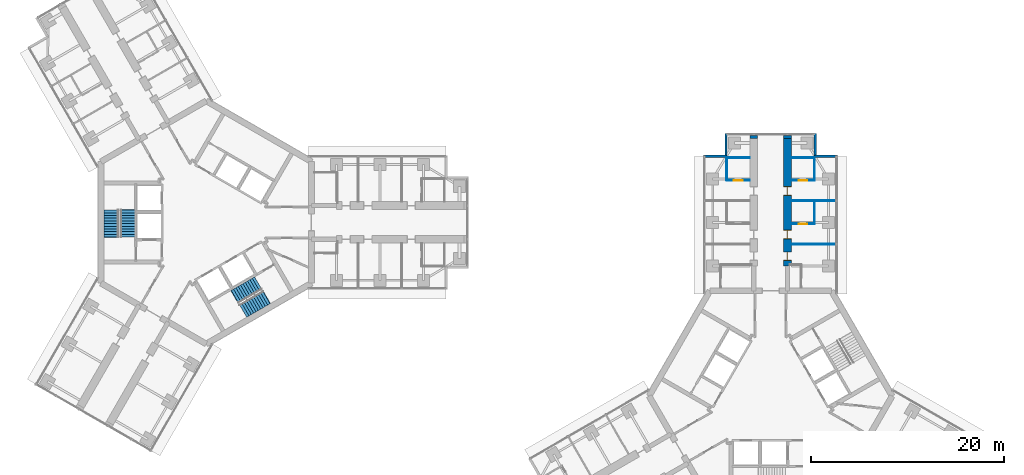
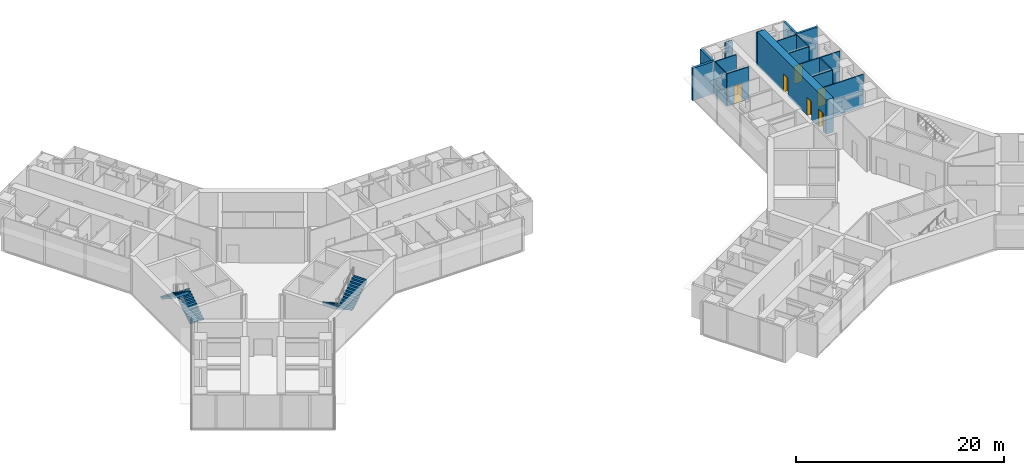
# One storey, part 21 of 23: 17 walls, 6 doors, 4 stair flights, 6 openings, 2 elements without a shape of their own.
"""IFC4 building model written with IfcOpenShell, lengths in metres."""

from ifc_helpers import new_model, si_unit, direction, frame, frame_2d, origin, place, context, subcontext, project, spatial, polyline, rectangle, outline, extrude, material, layer, layer_set, type_object, element, fill, aggregate, save


model = new_model("IFC4")

# Units and contexts
model_context = context("Model", 3, precision=1e-05, world=origin(), true_north=direction((0.0, 1.0)))
body_context = subcontext(model_context, "Body", "Model", "MODEL_VIEW")
ifc_project = project(units=[si_unit("LENGTHUNIT", "METRE"), si_unit("AREAUNIT", "SQUARE_METRE"), si_unit("VOLUMEUNIT", "CUBIC_METRE"), si_unit("PLANEANGLEUNIT", "RADIAN"), si_unit("MASSUNIT", "GRAM", prefix="KILO")], contexts=[model_context])

# Site, building, storey
site_placement = place(None, origin())
site = spatial("IfcSite", under=ifc_project, at=site_placement, CompositionType="ELEMENT")
building_placement = place(site_placement, origin())
building = spatial("IfcBuilding", under=site, at=building_placement, Name="Upepo Twin Towers", CompositionType="ELEMENT")
storey_placement = place(building_placement, frame((0.0, 0.0, 149.5)))
storey = spatial("IfcBuildingStorey", under=building, at=storey_placement, Name="L36", CompositionType="ELEMENT", Elevation=149.5)

# Walls
ifc_material_1 = material(Name="Dense concrete blockwork", Category="masonry")
ifc_layer_1 = layer(ifc_material_1, 0.800048828125)
ifc_layer_set_1 = layer_set([ifc_layer_1], Name="Buttress closer 800, blockwork with fire-stopping to the curtain wall")
wall_type_1 = type_object("IfcWallType", Name="Buttress closer 800, blockwork with fire-stopping to the curtain wall", PredefinedType="PARTITIONING", material=ifc_layer_set_1)
for number, where, z_axis, x_axis, name in (
    (1, (56.75, 8.699951171875, 0.0), (0.0, 0.0, 1.0), (0.0, 1.0, 0.0), "T2 L36 wing A buttress closer L"),
    (2, (60.25, 8.699951171875, 0.0), (0.0, 0.0, 1.0), (0.0, 1.0, 0.0), "T2 L36 wing A buttress closer R"),
):
    element("IfcWall", number, at=place(storey_placement, frame(where, z_axis=z_axis, x_axis=x_axis)), inside=storey, type_object=wall_type_1, Name=name, PredefinedType="PARTITIONING", context=body_context, shape_type="SweptSolid", body=[
        extrude(rectangle(XDim=0.300048828125, YDim=0.800048828125, at=frame_2d((0.14990234375, 0.0))), origin(), (0.0, 0.0, 1.0), 3.800048828125),
    ])

# Wall, openings, doors
ifc_material_2 = material(Name="Concrete C60/75", Category="concrete")
ifc_layer_2 = layer(ifc_material_2, 0.800048828125)
ifc_layer_set_2 = layer_set([ifc_layer_2], Name="Concrete C60/75")
wall_type_2 = type_object("IfcWallType", Name="Buttress wall 800 RC", PredefinedType="SHEAR", material=ifc_layer_set_2)
wall_1_placement = place(storey_placement, frame((60.25, -4.5, 0.0), z_axis=(0.0, 0.0, 1.0), x_axis=(0.0, 1.0, 0.0)))
wall_1 = element("IfcWall", 3, at=wall_1_placement, inside=storey, type_object=wall_type_2, Name="T2 wing A buttress wall R part 2", PredefinedType="SHEAR", context=body_context, shape_type="SweptSolid", body=[
    extrude(rectangle(XDim=13.199951171875, YDim=0.800048828125, at=frame_2d((6.60009765625, 0.0))), origin(), (0.0, 0.0, 1.0), 4.0),
])
opening_1_placement = place(wall_1_placement, frame((0.550048828125, 0.0, 0.0)))
opening_1 = element("IfcOpeningElement", 4, at=opening_1_placement, cuts=wall_1, Name="Opening D11", PredefinedType="OPENING", context=body_context, shape_type="SweptSolid", body=[
    extrude(rectangle(XDim=0.89990234375, YDim=2.10009765625, at=frame_2d((0.449951171875, 1.050048828125))), frame((0.0, 0.409912109375, 0.0), z_axis=(0.0, -1.0, 0.0), x_axis=(1.0, 0.0, 0.0)), (0.0, 0.0, 1.0), 0.820068359375),
])
opening_2_placement = place(wall_1_placement, frame((2.800048828125, 0.0, 0.0)))
opening_2 = element("IfcOpeningElement", 5, at=opening_2_placement, cuts=wall_1, Name="Opening D14", PredefinedType="OPENING", context=body_context, shape_type="SweptSolid", body=[
    extrude(rectangle(XDim=0.89990234375, YDim=2.10009765625, at=frame_2d((0.449951171875, 1.050048828125))), frame((0.0, 0.409912109375, 0.0), z_axis=(0.0, -1.0, 0.0), x_axis=(1.0, 0.0, 0.0)), (0.0, 0.0, 1.0), 0.820068359375),
])
opening_3_placement = place(wall_1_placement, frame((7.300048828125, 0.0, 0.0)))
opening_3 = element("IfcOpeningElement", 6, at=opening_3_placement, cuts=wall_1, Name="Opening D14", PredefinedType="OPENING", context=body_context, shape_type="SweptSolid", body=[
    extrude(rectangle(XDim=0.89990234375, YDim=2.10009765625, at=frame_2d((0.449951171875, 1.050048828125))), frame((0.0, 0.409912109375, 0.0), z_axis=(0.0, -1.0, 0.0), x_axis=(1.0, 0.0, 0.0)), (0.0, 0.0, 1.0), 0.820068359375),
])
ifc_material_3 = material(Name="Timber doorset", Category="wood")
door_type_1 = type_object("IfcDoorType", Name="Office door 900 FD30", OperationType="SINGLE_SWING_LEFT", PredefinedType="DOOR", material=ifc_material_3)
door_1_placement = place(opening_2_placement, origin())
door_1 = element("IfcDoor", 7, at=door_1_placement, inside=storey, type_object=door_type_1, Name="T2 L36 staff office door", OperationType="SINGLE_SWING_LEFT", OverallHeight=2.10009765625, OverallWidth=0.89990234375, PredefinedType="DOOR", context=body_context, shape_type="SweptSolid", body=[
    extrude(rectangle(XDim=0.81990234375, YDim=2.06009765625, at=frame_2d((0.449951171875, 1.030029296875))), frame((0.0, 0.02490234375, 0.0), z_axis=(0.0, -1.0, 0.0), x_axis=(1.0, 0.0, 0.0)), (0.0, 0.0, 1.0), 0.050048828125),
    extrude(rectangle(XDim=0.04, YDim=2.10009765625, at=frame_2d((0.02001953125, 1.050048828125))), frame((0.0, 0.39990234375, 0.0), z_axis=(0.0, -1.0, 0.0), x_axis=(1.0, 0.0, 0.0)), (0.0, 0.0, 1.0), 0.799560546875),
    extrude(rectangle(XDim=0.04, YDim=2.10009765625, at=frame_2d((0.8798828125, 1.050048828125))), frame((0.0, 0.39990234375, 0.0), z_axis=(0.0, -1.0, 0.0), x_axis=(1.0, 0.0, 0.0)), (0.0, 0.0, 1.0), 0.799560546875),
    extrude(rectangle(XDim=0.81990234375, YDim=0.04, at=frame_2d((0.449951171875, 2.080078125))), frame((0.0, 0.39990234375, 0.0), z_axis=(0.0, -1.0, 0.0), x_axis=(1.0, 0.0, 0.0)), (0.0, 0.0, 1.0), 0.799560546875),
])
fill(opening_2, door_1)
door_2_placement = place(opening_3_placement, origin())
door_2 = element("IfcDoor", 8, at=door_2_placement, inside=storey, type_object=door_type_1, Name="T2 L36 postgraduate office door", OperationType="SINGLE_SWING_RIGHT", OverallHeight=2.10009765625, OverallWidth=0.89990234375, PredefinedType="DOOR", context=body_context, shape_type="SweptSolid", body=[
    extrude(rectangle(XDim=0.81990234375, YDim=2.06009765625, at=frame_2d((0.449951171875, 1.030029296875))), frame((0.0, 0.02490234375, 0.0), z_axis=(0.0, -1.0, 0.0), x_axis=(1.0, 0.0, 0.0)), (0.0, 0.0, 1.0), 0.050048828125),
    extrude(rectangle(XDim=0.04, YDim=2.10009765625, at=frame_2d((0.02001953125, 1.050048828125))), frame((0.0, 0.39990234375, 0.0), z_axis=(0.0, -1.0, 0.0), x_axis=(1.0, 0.0, 0.0)), (0.0, 0.0, 1.0), 0.799560546875),
    extrude(rectangle(XDim=0.04, YDim=2.10009765625, at=frame_2d((0.8798828125, 1.050048828125))), frame((0.0, 0.39990234375, 0.0), z_axis=(0.0, -1.0, 0.0), x_axis=(1.0, 0.0, 0.0)), (0.0, 0.0, 1.0), 0.799560546875),
    extrude(rectangle(XDim=0.81990234375, YDim=0.04, at=frame_2d((0.449951171875, 2.080078125))), frame((0.0, 0.39990234375, 0.0), z_axis=(0.0, -1.0, 0.0), x_axis=(1.0, 0.0, 0.0)), (0.0, 0.0, 1.0), 0.799560546875),
])
fill(opening_3, door_2)
ifc_material_4 = material(Name="Timber doorset", Category="wood")
door_type_2 = type_object("IfcDoorType", Name="Toilet door 900", OperationType="SINGLE_SWING_LEFT", PredefinedType="DOOR", material=ifc_material_4)
door_3_placement = place(opening_1_placement, origin())
door_3 = element("IfcDoor", 9, at=door_3_placement, inside=storey, type_object=door_type_2, Name="T2 L36 toilets door", OperationType="SINGLE_SWING_LEFT", OverallHeight=2.10009765625, OverallWidth=0.89990234375, PredefinedType="DOOR", context=body_context, shape_type="SweptSolid", body=[
    extrude(rectangle(XDim=0.81990234375, YDim=2.06009765625, at=frame_2d((0.449951171875, 1.030029296875))), frame((0.0, 0.02490234375, 0.0), z_axis=(0.0, -1.0, 0.0), x_axis=(1.0, 0.0, 0.0)), (0.0, 0.0, 1.0), 0.050048828125),
    extrude(rectangle(XDim=0.04, YDim=2.10009765625, at=frame_2d((0.02001953125, 1.050048828125))), frame((0.0, 0.39990234375, 0.0), z_axis=(0.0, -1.0, 0.0), x_axis=(1.0, 0.0, 0.0)), (0.0, 0.0, 1.0), 0.799560546875),
    extrude(rectangle(XDim=0.04, YDim=2.10009765625, at=frame_2d((0.8798828125, 1.050048828125))), frame((0.0, 0.39990234375, 0.0), z_axis=(0.0, -1.0, 0.0), x_axis=(1.0, 0.0, 0.0)), (0.0, 0.0, 1.0), 0.799560546875),
    extrude(rectangle(XDim=0.81990234375, YDim=0.04, at=frame_2d((0.449951171875, 2.080078125))), frame((0.0, 0.39990234375, 0.0), z_axis=(0.0, -1.0, 0.0), x_axis=(1.0, 0.0, 0.0)), (0.0, 0.0, 1.0), 0.799560546875),
])
fill(opening_1, door_3)

# Walls
ifc_material_5 = material(Name="Blockwork with anodised aluminium cladding", Category="masonry")
ifc_layer_3 = layer(ifc_material_5, 0.25)
ifc_layer_set_3 = layer_set([ifc_layer_3], Name="Notch cladding wall 250, pale metal")
wall_type_3 = type_object("IfcWallType", Name="Notch cladding wall 250, pale metal", PredefinedType="STANDARD", material=ifc_layer_set_3)
for number, where, z_axis, x_axis, name in (
    (10, (51.550048828125, 6.875, 0.0), (0.0, 0.0, 1.0), (1.0, 0.0, 0.0), "T2 L36 wing A notch wall L1"),
    (11, (53.875, 6.875, 0.0), (0.0, 0.0, 1.0), (0.0, 1.0, 0.0), "T2 L36 wing A notch wall L2"),
    (12, (65.449951171875, 6.875, 0.0), (0.0, 0.0, 1.0), (-1.0, 0.0, 0.0), "T2 L36 wing A notch wall R1"),
    (13, (63.125, 6.875, 0.0), (0.0, 0.0, 1.0), (0.0, 1.0, 0.0), "T2 L36 wing A notch wall R2"),
):
    element("IfcWall", number, at=place(storey_placement, frame(where, z_axis=z_axis, x_axis=x_axis)), inside=storey, type_object=wall_type_3, Name=name, PredefinedType="STANDARD", context=body_context, shape_type="SweptSolid", body=[
        extrude(rectangle(XDim=2.324951171875, YDim=0.25, at=frame_2d((1.16259765625, 0.0))), origin(), (0.0, 0.0, 1.0), 3.800048828125),
    ])
ifc_material_6 = material(Name="Gypsum board on steel studs", Category="steel")
ifc_layer_4 = layer(ifc_material_6, 0.10009765625)
ifc_layer_set_4 = layer_set([ifc_layer_4], Name="Office partition 100 stud")
wall_type_4 = type_object("IfcWallType", Name="Office partition 100 stud", PredefinedType="PARTITIONING", material=ifc_layer_set_4)
wall_2_placement = place(storey_placement, frame((53.949951171875, 4.35009765625, 0.0), z_axis=(0.0, 0.0, 1.0), x_axis=(0.0, 1.0, 0.0)))
element("IfcWall", 14, at=wall_2_placement, inside=storey, type_object=wall_type_4, Name="T2 inner room partition AL at 22.35", PredefinedType="PARTITIONING", context=body_context, shape_type="SweptSolid", body=[
    extrude(rectangle(XDim=2.39990234375, YDim=0.10009765625, at=frame_2d((1.199951171875, 0.0))), origin(), (0.0, 0.0, 1.0), 3.800048828125),
])

# Wall, opening, door
wall_3_placement = place(storey_placement, frame((56.35009765625, 4.35009765625, 0.0), z_axis=(0.0, 0.0, 1.0), x_axis=(-1.0, 0.0, 0.0)))
wall_3 = element("IfcWall", 15, at=wall_3_placement, inside=storey, type_object=wall_type_4, Name="T2 inner room partition AL end at 22.35", PredefinedType="PARTITIONING", context=body_context, shape_type="SweptSolid", body=[
    extrude(rectangle(XDim=2.400146484375, YDim=0.10009765625, at=frame_2d((1.2001953125, 0.0))), origin(), (0.0, 0.0, 1.0), 3.800048828125),
])
opening_4_placement = place(wall_3_placement, frame((0.75, 0.0, 0.0)))
opening_4 = element("IfcOpeningElement", 16, at=opening_4_placement, cuts=wall_3, Name="Opening D14", PredefinedType="OPENING", context=body_context, shape_type="SweptSolid", body=[
    extrude(rectangle(XDim=0.89990234375, YDim=2.10009765625, at=frame_2d((0.449951171875, 1.050048828125))), frame((0.0, 0.06005859375, 0.0), z_axis=(0.0, -1.0, 0.0), x_axis=(1.0, 0.0, 0.0)), (0.0, 0.0, 1.0), 0.1201171875),
])
door_4_placement = place(opening_4_placement, origin())
door_4 = element("IfcDoor", 17, at=door_4_placement, inside=storey, type_object=door_type_1, Name="T2 L36 inner room door", OperationType="SINGLE_SWING_LEFT", OverallHeight=2.10009765625, OverallWidth=0.89990234375, PredefinedType="DOOR", context=body_context, shape_type="SweptSolid", body=[
    extrude(rectangle(XDim=0.89990234375, YDim=2.10009765625, at=frame_2d((0.449951171875, 1.050048828125))), frame((0.0, 0.02490234375, 0.0), z_axis=(0.0, -1.0, 0.0), x_axis=(1.0, 0.0, 0.0)), (0.0, 0.0, 1.0), 0.050048828125),
])
fill(opening_4, door_4)

# Walls
wall_4_placement = place(storey_placement, frame((56.35009765625, 6.699951171875, 0.0), z_axis=(0.0, 0.0, 1.0), x_axis=(-1.0, 0.0, 0.0)))
element("IfcWall", 18, at=wall_4_placement, inside=storey, type_object=wall_type_4, Name="T2 inner room partition AL end at 24.75", PredefinedType="PARTITIONING", context=body_context, shape_type="SweptSolid", body=[
    extrude(rectangle(XDim=2.400146484375, YDim=0.10009765625, at=frame_2d((1.2001953125, 0.0))), origin(), (0.0, 0.0, 1.0), 3.800048828125),
])
for number, where, z_axis, x_axis, name in (
    (19, (60.64990234375, -2.25, 0.0), (0.0, 0.0, 1.0), (1.0, 0.0, 0.0), "T2 partition AR at 15.75"),
    (20, (60.64990234375, 2.25, 0.0), (0.0, 0.0, 1.0), (1.0, 0.0, 0.0), "T2 partition AR at 20.25"),
):
    element("IfcWall", number, at=place(storey_placement, frame(where, z_axis=z_axis, x_axis=x_axis)), inside=storey, type_object=wall_type_4, Name=name, PredefinedType="PARTITIONING", context=body_context, shape_type="SweptSolid", body=[
        extrude(rectangle(XDim=4.60009765625, YDim=0.10009765625, at=frame_2d((2.300048828125, 0.0))), origin(), (0.0, 0.0, 1.0), 3.800048828125),
    ])
wall_5_placement = place(storey_placement, frame((63.050048828125, -0.14990234375, 0.0), z_axis=(0.0, 0.0, 1.0), x_axis=(0.0, 1.0, 0.0)))
element("IfcWall", 21, at=wall_5_placement, inside=storey, type_object=wall_type_4, Name="T2 inner room partition AR at 17.85", PredefinedType="PARTITIONING", context=body_context, shape_type="SweptSolid", body=[
    extrude(rectangle(XDim=2.39990234375, YDim=0.10009765625, at=frame_2d((1.199951171875, 0.0))), origin(), (0.0, 0.0, 1.0), 3.800048828125),
])

# Wall, opening, door
wall_6_placement = place(storey_placement, frame((60.64990234375, -0.14990234375, 0.0), z_axis=(0.0, 0.0, 1.0), x_axis=(1.0, 0.0, 0.0)))
wall_6 = element("IfcWall", 22, at=wall_6_placement, inside=storey, type_object=wall_type_4, Name="T2 inner room partition AR end at 17.85", PredefinedType="PARTITIONING", context=body_context, shape_type="SweptSolid", body=[
    extrude(rectangle(XDim=2.400146484375, YDim=0.10009765625, at=frame_2d((1.2001953125, 0.0))), origin(), (0.0, 0.0, 1.0), 3.800048828125),
])
opening_5_placement = place(wall_6_placement, frame((0.75, 0.0, 0.0)))
opening_5 = element("IfcOpeningElement", 23, at=opening_5_placement, cuts=wall_6, Name="Opening D14", PredefinedType="OPENING", context=body_context, shape_type="SweptSolid", body=[
    extrude(rectangle(XDim=0.89990234375, YDim=2.10009765625, at=frame_2d((0.449951171875, 1.050048828125))), frame((0.0, 0.06005859375, 0.0), z_axis=(0.0, -1.0, 0.0), x_axis=(1.0, 0.0, 0.0)), (0.0, 0.0, 1.0), 0.1201171875),
])
door_5_placement = place(opening_5_placement, origin())
door_5 = element("IfcDoor", 24, at=door_5_placement, inside=storey, type_object=door_type_1, Name="T2 L36 inner room door", OperationType="SINGLE_SWING_LEFT", OverallHeight=2.10009765625, OverallWidth=0.89990234375, PredefinedType="DOOR", context=body_context, shape_type="SweptSolid", body=[
    extrude(rectangle(XDim=0.89990234375, YDim=2.10009765625, at=frame_2d((0.449951171875, 1.050048828125))), frame((0.0, 0.02490234375, 0.0), z_axis=(0.0, -1.0, 0.0), x_axis=(1.0, 0.0, 0.0)), (0.0, 0.0, 1.0), 0.050048828125),
])
fill(opening_5, door_5)

# Wall
wall_7_placement = place(storey_placement, frame((63.050048828125, 4.35009765625, 0.0), z_axis=(0.0, 0.0, 1.0), x_axis=(0.0, 1.0, 0.0)))
element("IfcWall", 25, at=wall_7_placement, inside=storey, type_object=wall_type_4, Name="T2 inner room partition AR at 22.35", PredefinedType="PARTITIONING", context=body_context, shape_type="SweptSolid", body=[
    extrude(rectangle(XDim=2.39990234375, YDim=0.10009765625, at=frame_2d((1.199951171875, 0.0))), origin(), (0.0, 0.0, 1.0), 3.800048828125),
])

# Wall, opening, door
wall_8_placement = place(storey_placement, frame((60.64990234375, 4.35009765625, 0.0), z_axis=(0.0, 0.0, 1.0), x_axis=(1.0, 0.0, 0.0)))
wall_8 = element("IfcWall", 26, at=wall_8_placement, inside=storey, type_object=wall_type_4, Name="T2 inner room partition AR end at 22.35", PredefinedType="PARTITIONING", context=body_context, shape_type="SweptSolid", body=[
    extrude(rectangle(XDim=2.400146484375, YDim=0.10009765625, at=frame_2d((1.2001953125, 0.0))), origin(), (0.0, 0.0, 1.0), 3.800048828125),
])
opening_6_placement = place(wall_8_placement, frame((0.75, 0.0, 0.0)))
opening_6 = element("IfcOpeningElement", 27, at=opening_6_placement, cuts=wall_8, Name="Opening D14", PredefinedType="OPENING", context=body_context, shape_type="SweptSolid", body=[
    extrude(rectangle(XDim=0.89990234375, YDim=2.10009765625, at=frame_2d((0.449951171875, 1.050048828125))), frame((0.0, 0.06005859375, 0.0), z_axis=(0.0, -1.0, 0.0), x_axis=(1.0, 0.0, 0.0)), (0.0, 0.0, 1.0), 0.1201171875),
])
door_6_placement = place(opening_6_placement, origin())
door_6 = element("IfcDoor", 28, at=door_6_placement, inside=storey, type_object=door_type_1, Name="T2 L36 inner room door", OperationType="SINGLE_SWING_LEFT", OverallHeight=2.10009765625, OverallWidth=0.89990234375, PredefinedType="DOOR", context=body_context, shape_type="SweptSolid", body=[
    extrude(rectangle(XDim=0.89990234375, YDim=2.10009765625, at=frame_2d((0.449951171875, 1.050048828125))), frame((0.0, 0.02490234375, 0.0), z_axis=(0.0, -1.0, 0.0), x_axis=(1.0, 0.0, 0.0)), (0.0, 0.0, 1.0), 0.050048828125),
])
fill(opening_6, door_6)

# Wall
wall_9_placement = place(storey_placement, frame((60.64990234375, 6.699951171875, 0.0), z_axis=(0.0, 0.0, 1.0), x_axis=(1.0, 0.0, 0.0)))
element("IfcWall", 29, at=wall_9_placement, inside=storey, type_object=wall_type_4, Name="T2 inner room partition AR end at 24.75", PredefinedType="PARTITIONING", context=body_context, shape_type="SweptSolid", body=[
    extrude(rectangle(XDim=2.400146484375, YDim=0.10009765625, at=frame_2d((1.2001953125, 0.0))), origin(), (0.0, 0.0, 1.0), 3.800048828125),
])

# Stair, stair flights
ifc_material_7 = material(Name="Concrete C40/50", Category="concrete")
stair_type = type_object("IfcStairType", Name="Core stair, two flights", PredefinedType="HALF_TURN_STAIR", material=ifc_material_7)
stair_1_placement = place(storey_placement, origin())
stair_1 = element("IfcStair", 30, at=stair_1_placement, inside=storey, type_object=stair_type, Name="T1 stair S1 L36", PredefinedType="HALF_TURN_STAIR")
ifc_material_8 = material(Name="Concrete C40/50", Category="concrete")
stair_flight_type = type_object("IfcStairFlightType", Name="Stair flight 1500 RC", PredefinedType="STRAIGHT", material=ifc_material_8)
stair_flight_1_placement = place(storey_placement, frame((-8.14990234375, -1.52001953125, 0.0), z_axis=(0.0, 0.0, 1.0), x_axis=(0.0, 1.0, 0.0)))
stair_flight_1 = element("IfcStairFlight", 31, at=stair_flight_1_placement, type_object=stair_flight_type, Name="Stair S1 flight 1", NumberOfRisers=11, NumberOfTreads=10, PredefinedType="STRAIGHT", RiserHeight=0.181818182, TreadLength=0.28, context=body_context, shape_type="SweptSolid", body=[
    extrude(outline(polyline([(0.0, 0.0), (0.0, 0.181884765625), (0.280029296875, 0.181884765625), (0.280029296875, 0.363525390625), (0.56005859375, 0.363525390625), (0.56005859375, 0.54541015625), (0.840087890625, 0.54541015625), (0.840087890625, 0.727294921875), (1.1201171875, 0.727294921875), (1.1201171875, 0.9091796875), (1.39990234375, 0.9091796875), (1.39990234375, 1.0908203125), (1.679931640625, 1.0908203125), (1.679931640625, 1.272705078125), (1.9599609375, 1.272705078125), (1.9599609375, 1.45458984375), (2.239990234375, 1.45458984375), (2.239990234375, 1.636474609375), (2.52001953125, 1.636474609375), (2.52001953125, 1.818115234375), (2.800048828125, 1.818115234375), (2.800048828125, 2.0), (2.85009765625, 2.0), (2.85009765625, 1.639404296875), (0.3251953125, 0.0), (0.0, 0.0)])), frame((0.0, 0.75, 0.0), z_axis=(0.0, -1.0, 0.0), x_axis=(1.0, 0.0, 0.0)), (0.0, 0.0, 1.0), 1.5),
])
stair_flight_2_placement = place(storey_placement, frame((-9.8583984375, 1.280029296875, 2.0), z_axis=(0.0, 0.0, 1.0), x_axis=(0.0, -1.0, 0.0)))
stair_flight_2 = element("IfcStairFlight", 32, at=stair_flight_2_placement, type_object=stair_flight_type, Name="Stair S1 flight 2", NumberOfRisers=11, NumberOfTreads=10, PredefinedType="STRAIGHT", RiserHeight=0.181818182, TreadLength=0.28, context=body_context, shape_type="SweptSolid", body=[
    extrude(outline(polyline([(0.0, 0.0), (0.0, 0.181884765625), (0.280029296875, 0.181884765625), (0.280029296875, 0.363525390625), (0.56005859375, 0.363525390625), (0.56005859375, 0.54541015625), (0.840087890625, 0.54541015625), (0.840087890625, 0.727294921875), (1.1201171875, 0.727294921875), (1.1201171875, 0.9091796875), (1.39990234375, 0.9091796875), (1.39990234375, 1.0908203125), (1.679931640625, 1.0908203125), (1.679931640625, 1.272705078125), (1.9599609375, 1.272705078125), (1.9599609375, 1.45458984375), (2.239990234375, 1.45458984375), (2.239990234375, 1.636474609375), (2.52001953125, 1.636474609375), (2.52001953125, 1.818115234375), (2.800048828125, 1.818115234375), (2.800048828125, 2.0), (2.85009765625, 2.0), (2.85009765625, 1.639404296875), (0.3251953125, 0.0), (0.0, 0.0)])), frame((0.0, 0.75, 0.0), z_axis=(0.0, -1.0, 0.0), x_axis=(1.0, 0.0, 0.0)), (0.0, 0.0, 1.0), 1.5),
])
aggregate(stair_1, [stair_flight_1, stair_flight_2])

stair_2_placement = place(storey_placement, origin())
stair_2 = element("IfcStair", 33, at=stair_2_placement, inside=storey, type_object=stair_type, Name="T1 stair S2 L36", PredefinedType="HALF_TURN_STAIR")
stair_flight_3_placement = place(storey_placement, frame((5.391357421875, -6.298095703125, 0.0), z_axis=(0.0, 0.0, 1.0), x_axis=(-0.866025403784, -0.5, 0.0)))
stair_flight_3 = element("IfcStairFlight", 34, at=stair_flight_3_placement, type_object=stair_flight_type, Name="Stair S2 flight 1", NumberOfRisers=11, NumberOfTreads=10, PredefinedType="STRAIGHT", RiserHeight=0.181818182, TreadLength=0.28, context=body_context, shape_type="SweptSolid", body=[
    extrude(outline(polyline([(0.0, 0.0), (0.0, 0.181884765625), (0.280029296875, 0.181884765625), (0.280029296875, 0.363525390625), (0.56005859375, 0.363525390625), (0.56005859375, 0.54541015625), (0.840087890625, 0.54541015625), (0.840087890625, 0.727294921875), (1.1201171875, 0.727294921875), (1.1201171875, 0.9091796875), (1.39990234375, 0.9091796875), (1.39990234375, 1.0908203125), (1.679931640625, 1.0908203125), (1.679931640625, 1.272705078125), (1.9599609375, 1.272705078125), (1.9599609375, 1.45458984375), (2.239990234375, 1.45458984375), (2.239990234375, 1.636474609375), (2.52001953125, 1.636474609375), (2.52001953125, 1.818115234375), (2.800048828125, 1.818115234375), (2.800048828125, 2.0), (2.85009765625, 2.0), (2.85009765625, 1.639404296875), (0.3251953125, 0.0), (0.0, 0.0)])), frame((0.0, 0.75, 0.0), z_axis=(0.0, -1.0, 0.0), x_axis=(1.0, 0.0, 0.0)), (0.0, 0.0, 1.0), 1.5),
])
stair_flight_4_placement = place(storey_placement, frame((3.820556640625, -9.177490234375, 2.0), z_axis=(0.0, 0.0, 1.0), x_axis=(0.866025403784, 0.5, 0.0)))
stair_flight_4 = element("IfcStairFlight", 35, at=stair_flight_4_placement, type_object=stair_flight_type, Name="Stair S2 flight 2", NumberOfRisers=11, NumberOfTreads=10, PredefinedType="STRAIGHT", RiserHeight=0.181818182, TreadLength=0.28, context=body_context, shape_type="SweptSolid", body=[
    extrude(outline(polyline([(0.0, 0.0), (0.0, 0.181884765625), (0.280029296875, 0.181884765625), (0.280029296875, 0.363525390625), (0.56005859375, 0.363525390625), (0.56005859375, 0.54541015625), (0.840087890625, 0.54541015625), (0.840087890625, 0.727294921875), (1.1201171875, 0.727294921875), (1.1201171875, 0.9091796875), (1.39990234375, 0.9091796875), (1.39990234375, 1.0908203125), (1.679931640625, 1.0908203125), (1.679931640625, 1.272705078125), (1.9599609375, 1.272705078125), (1.9599609375, 1.45458984375), (2.239990234375, 1.45458984375), (2.239990234375, 1.636474609375), (2.52001953125, 1.636474609375), (2.52001953125, 1.818115234375), (2.800048828125, 1.818115234375), (2.800048828125, 2.0), (2.85009765625, 2.0), (2.85009765625, 1.639404296875), (0.3251953125, 0.0), (0.0, 0.0)])), frame((0.0, 0.75, 0.0), z_axis=(0.0, -1.0, 0.0), x_axis=(1.0, 0.0, 0.0)), (0.0, 0.0, 1.0), 1.5),
])
aggregate(stair_2, [stair_flight_3, stair_flight_4])

save(model, "model.ifc")
